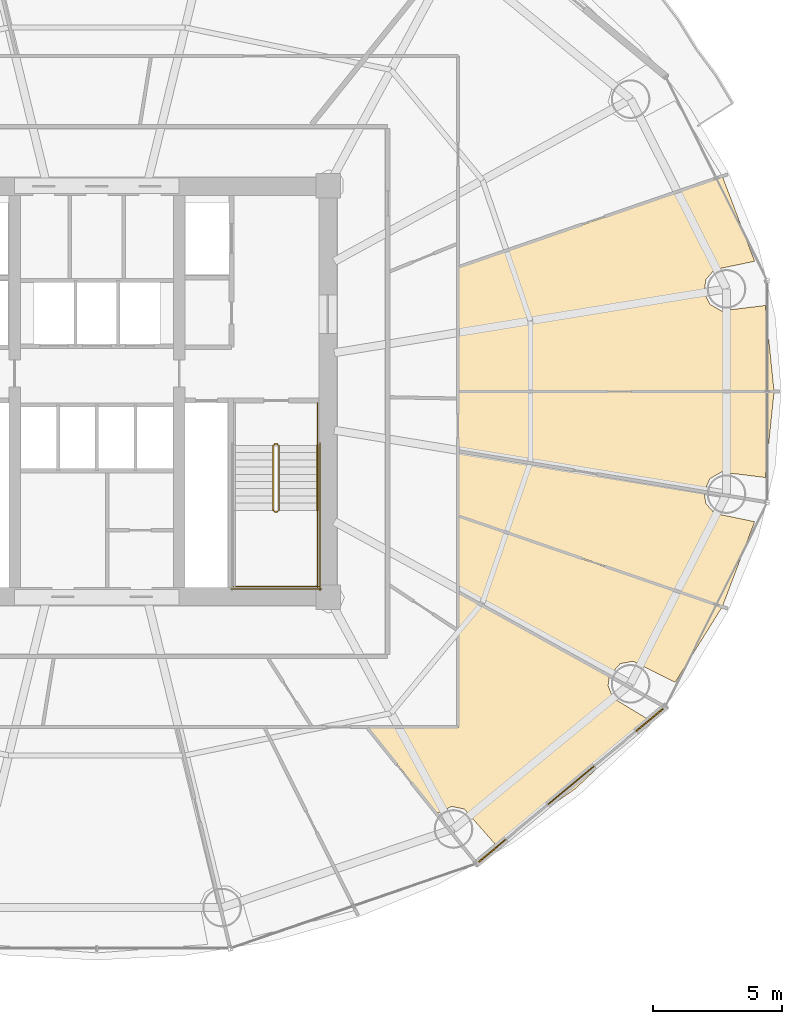
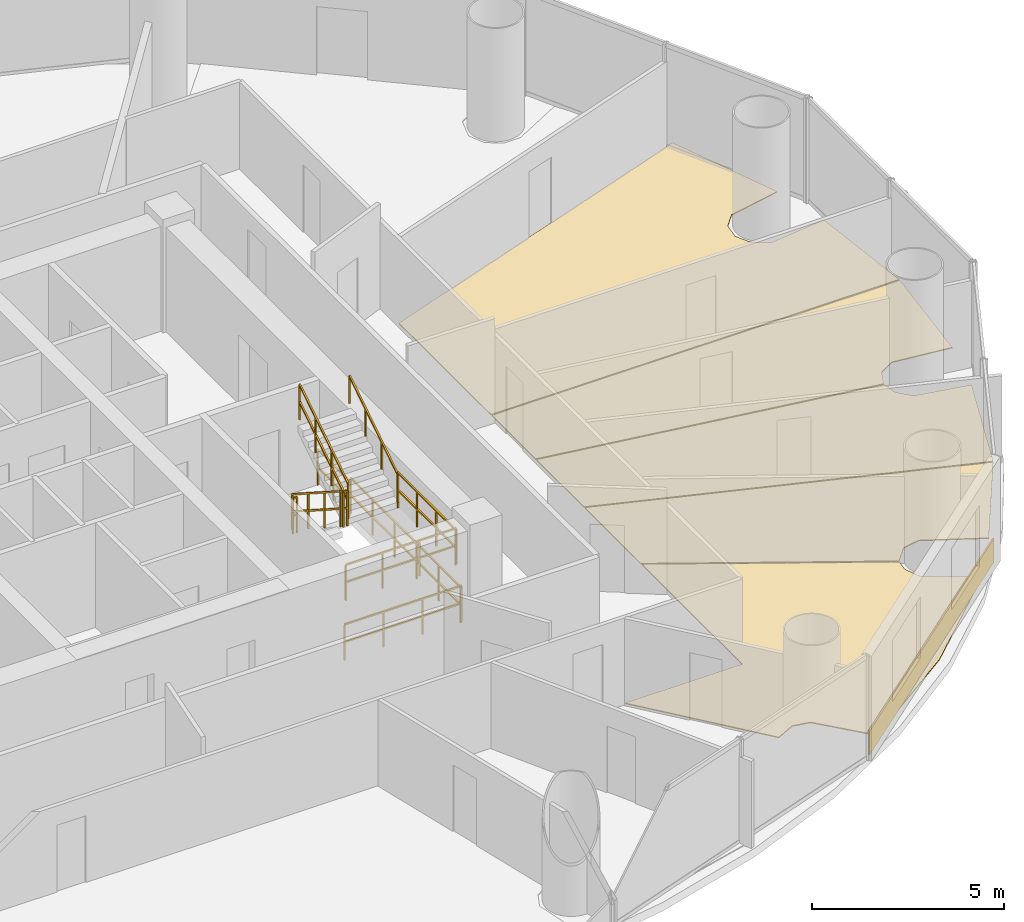
# One storey, part 28 of 29: 10 railings, 6 coverings.
"""IFC4 building model written with IfcOpenShell, lengths in metres."""

from ifc_helpers import new_model, si_unit, direction, frame, origin, origin_2d, place, context, subcontext, project, spatial, polyline, rectangle, outline, extrude, source, transform, mapped, material, layer, layer_set, type_object, element, save


model = new_model("IFC4")

# Units and contexts
model_context = context("Model", 3, precision=1e-05, world=origin(), true_north=direction((-0.2419218956, 0.970295726276)))
body_context = subcontext(model_context, "Body", "Model", "MODEL_VIEW")
ifc_project = project(units=[si_unit("LENGTHUNIT", "METRE"), si_unit("AREAUNIT", "SQUARE_METRE"), si_unit("VOLUMEUNIT", "CUBIC_METRE"), si_unit("PLANEANGLEUNIT", "RADIAN"), si_unit("MASSUNIT", "GRAM", prefix="KILO")], contexts=[model_context])

# Site, building, storey
site_placement = place(None, origin())
site = spatial("IfcSite", under=ifc_project, at=site_placement, CompositionType="ELEMENT")
building_placement = place(site_placement, origin())
building = spatial("IfcBuilding", under=site, at=building_placement, Name="Cobrevalo Terracotta Tower", CompositionType="ELEMENT")
storey_placement = place(building_placement, frame((0.0, 0.0, 112.199951171875)))
storey = spatial("IfcBuildingStorey", under=building, at=storey_placement, Name="L29", CompositionType="ELEMENT", Elevation=112.199951171875)

# Coverings
ifc_material_1 = material(Name="Engineered Brazilian hardwood flooring", Category="wood")
ifc_layer_1 = layer(ifc_material_1, 0.028076171875)
ifc_layer_set_1 = layer_set([ifc_layer_1], Name="Engineered Brazilian hardwood flooring")
covering_type_1 = type_object("IfcCoveringType", Name="Engineered Hardwood Suite Flooring 28", PredefinedType="FLOORING", material=ifc_layer_set_1)
covering_1_placement = place(storey_placement, origin())
element("IfcCovering", 1, at=covering_1_placement, inside=storey, type_object=covering_type_1, Name="Flat L29B Principal Guest Bedroom floor finish", PredefinedType="FLOORING", context=body_context, shape_type="SweptSolid", body=[
    extrude(outline(polyline([(56.6123046875, 11.372314453125), (53.488525390625, 9.193359375), (52.27880859375, 10.5712890625), (51.778076171875, 10.672607421875), (51.219970703125, 10.393798828125), (48.52490234375, 13.7451171875), (52.054931640625, 13.7451171875), (52.054931640625, 18.974609375), (57.916259765625, 15.720703125), (57.868408203125, 15.361328125), (58.05908203125, 14.88720703125), (59.35302734375, 14.102294921875), (58.882080078125, 13.518310546875), (56.6123046875, 11.372314453125)])), origin(), (0.0, 0.0, 1.0), 0.030029296875),
])
covering_2_placement = place(storey_placement, origin())
element("IfcCovering", 2, at=covering_2_placement, inside=storey, type_object=covering_type_1, Name="Flat L29B South Bedroom floor finish", PredefinedType="FLOORING", context=body_context, shape_type="SweptSolid", body=[
    extrude(outline(polyline([(60.474853515625, 15.49462890625), (58.84033203125, 16.3134765625), (58.338134765625, 16.218994140625), (57.9296875, 15.759033203125), (52.054931640625, 19.020263671875), (52.054931640625, 21.94189453125), (62.296875, 18.417236328125), (60.474853515625, 15.49462890625)])), origin(), (0.0, 0.0, 1.0), 0.030029296875),
])
covering_3_placement = place(storey_placement, origin())
element("IfcCovering", 3, at=covering_3_placement, inside=storey, type_object=covering_type_1, Name="Flat L29B Penthouse Family Lounge floor finish", PredefinedType="FLOORING", context=body_context, shape_type="SweptSolid", body=[
    extrude(outline(polyline([(52.054931640625, 21.984375), (52.054931640625, 24.45703125), (61.597412109375, 22.8798828125), (61.669677734375, 22.445556640625), (62.00732421875, 22.06201171875), (63.564208984375, 21.740478515625), (62.3154296875, 18.453369140625), (52.054931640625, 21.984375)])), origin(), (0.0, 0.0, 1.0), 0.030029296875),
])
covering_4_placement = place(storey_placement, origin())
element("IfcCovering", 4, at=covering_4_placement, inside=storey, type_object=covering_type_1, Name="Flat L29B Penthouse Family Lounge floor finish", PredefinedType="FLOORING", context=body_context, shape_type="SweptSolid", body=[
    extrude(outline(polyline([(64.318359375, 26.780029296875), (63.975830078125, 23.45654296875), (62.26904296875, 23.6669921875), (61.8271484375, 23.41064453125), (61.60302734375, 22.919677734375), (52.054931640625, 24.49755859375), (52.054931640625, 26.780029296875), (64.318359375, 26.780029296875)])), origin(), (0.0, 0.0, 1.0), 0.030029296875),
])
covering_5_placement = place(storey_placement, origin())
element("IfcCovering", 5, at=covering_5_placement, inside=storey, type_object=covering_type_1, Name="Flat L29B Penthouse Family Lounge floor finish", PredefinedType="FLOORING", context=body_context, shape_type="SweptSolid", body=[
    extrude(outline(polyline([(62.3154296875, 35.146728515625), (63.564208984375, 31.859619140625), (62.00732421875, 31.537841796875), (61.669677734375, 31.154541015625), (61.60205078125, 30.64794921875), (61.8271484375, 30.189208984375), (62.26904296875, 29.932861328125), (63.975830078125, 30.143310546875), (64.318359375, 26.820068359375), (52.054931640625, 26.820068359375), (52.054931640625, 31.61572265625), (62.3154296875, 35.146728515625)])), origin(), (0.0, 0.0, 1.0), 0.030029296875),
])

# Railings
ifc_material_2 = material(Name="Brushed stainless steel", Category="steel")
railing_type_1 = type_object("IfcRailingType", Name="Stainless Steel Stair Handrail 900", PredefinedType="HANDRAIL", material=ifc_material_2)
railing_1_placement = place(storey_placement, frame((46.574951171875, 22.179931640625, 1.97998046875)))
element("IfcRailing", 6, at=railing_1_placement, inside=storey, type_object=railing_type_1, Name="L29 ST-2 stair handrail 2", PredefinedType="HANDRAIL", context=body_context, shape_type="SweptSolid", body=[
    extrude(rectangle(XDim=0.048095703125, YDim=0.048095703125, at=origin_2d()), frame((0.0, 0.0, 0.8759765625), z_axis=(0.0, 0.841162588446, 0.540782303519), x_axis=(-1.0, 0.0, 0.0)), (0.0, 0.0, 1.0), 2.995849609375),
    extrude(rectangle(XDim=0.0419921875, YDim=0.0419921875, at=origin_2d()), origin(), (0.0, 0.0, 1.0), 0.851806640625),
    extrude(rectangle(XDim=0.0419921875, YDim=0.0419921875, at=origin_2d()), frame((0.0, 0.840087890625, 0.5400390625)), (0.0, 0.0, 1.0), 0.851806640625),
    extrude(rectangle(XDim=0.0419921875, YDim=0.0419921875, at=origin_2d()), frame((0.0, 1.679931640625, 1.080078125)), (0.0, 0.0, 1.0), 0.851806640625),
    extrude(rectangle(XDim=0.0419921875, YDim=0.0419921875, at=origin_2d()), frame((0.0, 2.52001953125, 1.6201171875)), (0.0, 0.0, 1.0), 0.851806640625),
])
ifc_material_3 = material(Name="Painted galvanized steel", Category="steel")
railing_type_2 = type_object("IfcRailingType", Name="Stair Well Guard Balustrade 1150", PredefinedType="GUARDRAIL", material=ifc_material_3)
railing_2_placement = place(storey_placement, frame((44.85498046875, 24.699951171875, 0.179931640625)))
element("IfcRailing", 7, at=railing_2_placement, inside=storey, type_object=railing_type_2, Name="L29 ST-2 stair guard 1", PredefinedType="GUARDRAIL", context=body_context, shape_type="SweptSolid", body=[
    extrude(rectangle(XDim=0.048095703125, YDim=0.048095703125, at=origin_2d()), frame((0.0, 0.0, 1.1259765625), z_axis=(0.0, -0.841162588446, 0.540782303519), x_axis=(1.0, 0.0, 0.0)), (0.0, 0.0, 1.0), 2.995849609375),
    extrude(rectangle(XDim=0.048095703125, YDim=0.048095703125, at=origin_2d()), frame((0.0, 0.0, 0.574951171875), z_axis=(0.0, -0.841162588446, 0.540782303519), x_axis=(1.0, 0.0, 0.0)), (0.0, 0.0, 1.0), 2.995849609375),
    extrude(rectangle(XDim=0.0419921875, YDim=0.0419921875, at=origin_2d()), origin(), (0.0, 0.0, 1.0), 1.101806640625),
    extrude(rectangle(XDim=0.0419921875, YDim=0.0419921875, at=origin_2d()), frame((0.0, -0.840087890625, 0.5400390625)), (0.0, 0.0, 1.0), 1.101806640625),
    extrude(rectangle(XDim=0.0419921875, YDim=0.0419921875, at=origin_2d()), frame((0.0, -1.679931640625, 1.080078125)), (0.0, 0.0, 1.0), 1.101806640625),
    extrude(rectangle(XDim=0.0419921875, YDim=0.0419921875, at=origin_2d()), frame((0.0, -2.52001953125, 1.6201171875)), (0.0, 0.0, 1.0), 1.101806640625),
])
railing_3_placement = place(storey_placement, frame((44.905029296875, 22.1298828125, 1.800048828125)))
element("IfcRailing", 8, at=railing_3_placement, inside=storey, type_object=railing_type_2, Name="L29 ST-2 stair guard 2", PredefinedType="GUARDRAIL", context=body_context, shape_type="SweptSolid", body=[
    extrude(rectangle(XDim=0.048095703125, YDim=0.048095703125, at=origin_2d()), frame((0.0, 0.0, 1.1259765625), z_axis=(1.0, 0.0, 0.0), x_axis=(0.0, 1.0, 0.0)), (0.0, 0.0, 1.0), 0.119873046875),
    extrude(rectangle(XDim=0.048095703125, YDim=0.048095703125, at=origin_2d()), frame((0.0, 0.0, 0.574951171875), z_axis=(1.0, 0.0, 0.0), x_axis=(0.0, 1.0, 0.0)), (0.0, 0.0, 1.0), 0.119873046875),
    extrude(rectangle(XDim=0.0419921875, YDim=0.0419921875, at=origin_2d()), origin(), (0.0, 0.0, 1.0), 1.101806640625),
    extrude(rectangle(XDim=0.0419921875, YDim=0.0419921875, at=origin_2d()), frame((0.119873046875, 0.0, 0.0)), (0.0, 0.0, 1.0), 1.101806640625),
])
railing_4_placement = place(storey_placement, frame((46.574951171875, 22.179931640625, 1.800048828125)))
element("IfcRailing", 9, at=railing_4_placement, inside=storey, type_object=railing_type_2, Name="L29 ST-2 stair guard 4", PredefinedType="GUARDRAIL", context=body_context, shape_type="SweptSolid", body=[
    extrude(rectangle(XDim=0.048095703125, YDim=0.048095703125, at=origin_2d()), frame((0.0, 0.0, 1.1259765625), z_axis=(0.0, -1.0, 0.0), x_axis=(1.0, 0.0, 0.0)), (0.0, 0.0, 1.0), 3.0048828125),
    extrude(rectangle(XDim=0.048095703125, YDim=0.048095703125, at=origin_2d()), frame((0.0, 0.0, 0.574951171875), z_axis=(0.0, -1.0, 0.0), x_axis=(1.0, 0.0, 0.0)), (0.0, 0.0, 1.0), 3.0048828125),
    extrude(rectangle(XDim=0.0419921875, YDim=0.0419921875, at=origin_2d()), origin(), (0.0, 0.0, 1.0), 1.101806640625),
    extrude(rectangle(XDim=0.0419921875, YDim=0.0419921875, at=origin_2d()), frame((0.0, -1.001708984375, 0.0)), (0.0, 0.0, 1.0), 1.101806640625),
    extrude(rectangle(XDim=0.0419921875, YDim=0.0419921875, at=origin_2d()), frame((0.0, -2.003173828125, 0.0)), (0.0, 0.0, 1.0), 1.101806640625),
    extrude(rectangle(XDim=0.0419921875, YDim=0.0419921875, at=origin_2d()), frame((0.0, -3.0048828125, 0.0)), (0.0, 0.0, 1.0), 1.101806640625),
])
railing_5_placement = place(storey_placement, frame((43.304931640625, 19.22509765625, 1.800048828125)))
element("IfcRailing", 10, at=railing_5_placement, inside=storey, type_object=railing_type_2, Name="L29 ST-2 stair guard 5", PredefinedType="GUARDRAIL", context=body_context, shape_type="SweptSolid", body=[
    extrude(rectangle(XDim=0.048095703125, YDim=0.048095703125, at=origin_2d()), frame((0.0, 0.0, 1.1259765625), z_axis=(1.0, 0.0, 0.0), x_axis=(0.0, 1.0, 0.0)), (0.0, 0.0, 1.0), 3.320068359375),
    extrude(rectangle(XDim=0.048095703125, YDim=0.048095703125, at=origin_2d()), frame((0.0, 0.0, 0.574951171875), z_axis=(1.0, 0.0, 0.0), x_axis=(0.0, 1.0, 0.0)), (0.0, 0.0, 1.0), 3.320068359375),
    extrude(rectangle(XDim=0.0419921875, YDim=0.0419921875, at=origin_2d()), origin(), (0.0, 0.0, 1.0), 1.101806640625),
    extrude(rectangle(XDim=0.0419921875, YDim=0.0419921875, at=origin_2d()), frame((1.106689453125, 0.0, 0.0)), (0.0, 0.0, 1.0), 1.101806640625),
    extrude(rectangle(XDim=0.0419921875, YDim=0.0419921875, at=origin_2d()), frame((2.21337890625, 0.0, 0.0)), (0.0, 0.0, 1.0), 1.101806640625),
    extrude(rectangle(XDim=0.0419921875, YDim=0.0419921875, at=origin_2d()), frame((3.320068359375, 0.0, 0.0)), (0.0, 0.0, 1.0), 1.101806640625),
])
railing_6_placement = place(storey_placement, frame((45.074951171875, 22.179931640625, 1.97998046875)))
element("IfcRailing", 11, at=railing_6_placement, inside=storey, type_object=railing_type_2, Name="L29 ST-2 stair guard 6", PredefinedType="GUARDRAIL", context=body_context, shape_type="SweptSolid", body=[
    extrude(rectangle(XDim=0.048095703125, YDim=0.048095703125, at=origin_2d()), frame((0.0, 0.0, 1.1259765625), z_axis=(0.0, 0.841162588446, 0.540782303519), x_axis=(-1.0, 0.0, 0.0)), (0.0, 0.0, 1.0), 2.995849609375),
    extrude(rectangle(XDim=0.048095703125, YDim=0.048095703125, at=origin_2d()), frame((0.0, 0.0, 0.574951171875), z_axis=(0.0, 0.841162588446, 0.540782303519), x_axis=(-1.0, 0.0, 0.0)), (0.0, 0.0, 1.0), 2.995849609375),
    extrude(rectangle(XDim=0.0419921875, YDim=0.0419921875, at=origin_2d()), origin(), (0.0, 0.0, 1.0), 1.101806640625),
    extrude(rectangle(XDim=0.0419921875, YDim=0.0419921875, at=origin_2d()), frame((0.0, 0.840087890625, 0.5400390625)), (0.0, 0.0, 1.0), 1.101806640625),
    extrude(rectangle(XDim=0.0419921875, YDim=0.0419921875, at=origin_2d()), frame((0.0, 1.679931640625, 1.080078125)), (0.0, 0.0, 1.0), 1.101806640625),
    extrude(rectangle(XDim=0.0419921875, YDim=0.0419921875, at=origin_2d()), frame((0.0, 2.52001953125, 1.6201171875)), (0.0, 0.0, 1.0), 1.101806640625),
])
railing_7_placement = place(storey_placement, frame((44.905029296875, 24.75, 0.0)))
element("IfcRailing", 12, at=railing_7_placement, inside=storey, type_object=railing_type_2, Name="L29 ST-2 stair guard 7", PredefinedType="GUARDRAIL", context=body_context, shape_type="SweptSolid", body=[
    extrude(rectangle(XDim=0.048095703125, YDim=0.048095703125, at=origin_2d()), frame((0.0, 0.0, 1.1259765625), z_axis=(1.0, 0.0, 0.0), x_axis=(0.0, 1.0, 0.0)), (0.0, 0.0, 1.0), 0.119873046875),
    extrude(rectangle(XDim=0.048095703125, YDim=0.048095703125, at=origin_2d()), frame((0.0, 0.0, 0.574951171875), z_axis=(1.0, 0.0, 0.0), x_axis=(0.0, 1.0, 0.0)), (0.0, 0.0, 1.0), 0.119873046875),
    extrude(rectangle(XDim=0.0419921875, YDim=0.0419921875, at=origin_2d()), origin(), (0.0, 0.0, 1.0), 1.101806640625),
    extrude(rectangle(XDim=0.0419921875, YDim=0.0419921875, at=origin_2d()), frame((0.119873046875, 0.0, 0.0)), (0.0, 0.0, 1.0), 1.101806640625),
])
railing_8_placement = place(storey_placement, frame((46.574951171875, 26.35009765625, 0.0)))
element("IfcRailing", 13, at=railing_8_placement, inside=storey, type_object=railing_type_2, Name="L29 ST-2 stair guard 9", PredefinedType="GUARDRAIL", context=body_context, shape_type="SweptSolid", body=[
    extrude(rectangle(XDim=0.048095703125, YDim=0.048095703125, at=origin_2d()), frame((0.0, 0.0, 1.1259765625), z_axis=(0.0, -1.0, 0.0), x_axis=(1.0, 0.0, 0.0)), (0.0, 0.0, 1.0), 1.650146484375),
    extrude(rectangle(XDim=0.048095703125, YDim=0.048095703125, at=origin_2d()), frame((0.0, 0.0, 0.574951171875), z_axis=(0.0, -1.0, 0.0), x_axis=(1.0, 0.0, 0.0)), (0.0, 0.0, 1.0), 1.650146484375),
    extrude(rectangle(XDim=0.0419921875, YDim=0.0419921875, at=origin_2d()), origin(), (0.0, 0.0, 1.0), 1.101806640625),
    extrude(rectangle(XDim=0.0419921875, YDim=0.0419921875, at=origin_2d()), frame((0.0, -0.8251953125, 0.0)), (0.0, 0.0, 1.0), 1.101806640625),
    extrude(rectangle(XDim=0.0419921875, YDim=0.0419921875, at=origin_2d()), frame((0.0, -1.650146484375, 0.0)), (0.0, 0.0, 1.0), 1.101806640625),
])
railing_9_placement = place(storey_placement, frame((46.675048828125, 24.800048828125, 0.0)))
element("IfcRailing", 14, at=railing_9_placement, inside=storey, type_object=railing_type_2, Name="L29 ST-2 stair guard 11", PredefinedType="GUARDRAIL", context=body_context, shape_type="SweptSolid", body=[
    extrude(rectangle(XDim=0.048095703125, YDim=0.048095703125, at=origin_2d()), frame((0.0, 0.0, 1.1259765625), z_axis=(0.0, -1.0, 0.0), x_axis=(1.0, 0.0, 0.0)), (0.0, 0.0, 1.0), 5.72509765625),
    extrude(rectangle(XDim=0.048095703125, YDim=0.048095703125, at=origin_2d()), frame((0.0, 0.0, 0.574951171875), z_axis=(0.0, -1.0, 0.0), x_axis=(1.0, 0.0, 0.0)), (0.0, 0.0, 1.0), 5.72509765625),
    extrude(rectangle(XDim=0.0419921875, YDim=0.0419921875, at=origin_2d()), origin(), (0.0, 0.0, 1.0), 1.101806640625),
    extrude(rectangle(XDim=0.0419921875, YDim=0.0419921875, at=origin_2d()), frame((0.0, -1.14501953125, 0.0)), (0.0, 0.0, 1.0), 1.101806640625),
    extrude(rectangle(XDim=0.0419921875, YDim=0.0419921875, at=origin_2d()), frame((0.0, -2.2900390625, 0.0)), (0.0, 0.0, 1.0), 1.101806640625),
    extrude(rectangle(XDim=0.0419921875, YDim=0.0419921875, at=origin_2d()), frame((0.0, -3.43505859375, 0.0)), (0.0, 0.0, 1.0), 1.101806640625),
    extrude(rectangle(XDim=0.0419921875, YDim=0.0419921875, at=origin_2d()), frame((0.0, -4.580078125, 0.0)), (0.0, 0.0, 1.0), 1.101806640625),
    extrude(rectangle(XDim=0.0419921875, YDim=0.0419921875, at=origin_2d()), frame((0.0, -5.72509765625, 0.0)), (0.0, 0.0, 1.0), 1.101806640625),
])
railing_10_placement = place(storey_placement, frame((43.205078125, 19.125, 0.0)))
element("IfcRailing", 15, at=railing_10_placement, inside=storey, type_object=railing_type_2, Name="L29 ST-2 stair guard 12", PredefinedType="GUARDRAIL", context=body_context, shape_type="SweptSolid", body=[
    extrude(rectangle(XDim=0.048095703125, YDim=0.048095703125, at=origin_2d()), frame((0.0, 0.0, 1.1259765625), z_axis=(1.0, 0.0, 0.0), x_axis=(0.0, 1.0, 0.0)), (0.0, 0.0, 1.0), 3.52001953125),
    extrude(rectangle(XDim=0.048095703125, YDim=0.048095703125, at=origin_2d()), frame((0.0, 0.0, 0.574951171875), z_axis=(1.0, 0.0, 0.0), x_axis=(0.0, 1.0, 0.0)), (0.0, 0.0, 1.0), 3.52001953125),
    extrude(rectangle(XDim=0.0419921875, YDim=0.0419921875, at=origin_2d()), origin(), (0.0, 0.0, 1.0), 1.101806640625),
    extrude(rectangle(XDim=0.0419921875, YDim=0.0419921875, at=origin_2d()), frame((1.17333984375, 0.0, 0.0)), (0.0, 0.0, 1.0), 1.101806640625),
    extrude(rectangle(XDim=0.0419921875, YDim=0.0419921875, at=origin_2d()), frame((2.3466796875, 0.0, 0.0)), (0.0, 0.0, 1.0), 1.101806640625),
    extrude(rectangle(XDim=0.0419921875, YDim=0.0419921875, at=origin_2d()), frame((3.52001953125, 0.0, 0.0)), (0.0, 0.0, 1.0), 1.101806640625),
])

# Covering
ifc_material_4 = material(Name="Glazed terracotta facade cladding tile", Category="masonry")
ifc_layer_2 = layer(ifc_material_4, 0.044921875)
ifc_layer_set_2 = layer_set([ifc_layer_2], Name="Glazed terracotta facade cladding tile")
covering_type_2 = type_object("IfcCoveringType", Name="Architectural terracotta rainscreen spandrel cladding 45 mm", PredefinedType="CLADDING", material=ifc_layer_set_2)
shared_shape = source(origin(), body_context, "Body", "SweptSolid", [
    extrude(rectangle(XDim=9.32958984375, YDim=0.044921875, at=origin_2d()), origin(), (0.0, 0.0, 1.0), 0.760009765625),
])
covering_6_placement = place(storey_placement, frame((56.4267578125, 11.493896484375, 0.0400390625), z_axis=(0.0, 0.0, 1.0), x_axis=(0.769241221277, 0.638958483384, 0.0)))
element("IfcCovering", 16, at=covering_6_placement, inside=storey, type_object=covering_type_2, Name="L29 terracotta spandrel cladding S14", PredefinedType="CLADDING", context=body_context, shape_type="MappedRepresentation", body=[
    mapped(shared_shape, transform((0.0, 0.0, 0.0), scale=1.0)),
])

save(model, "model.ifc")
